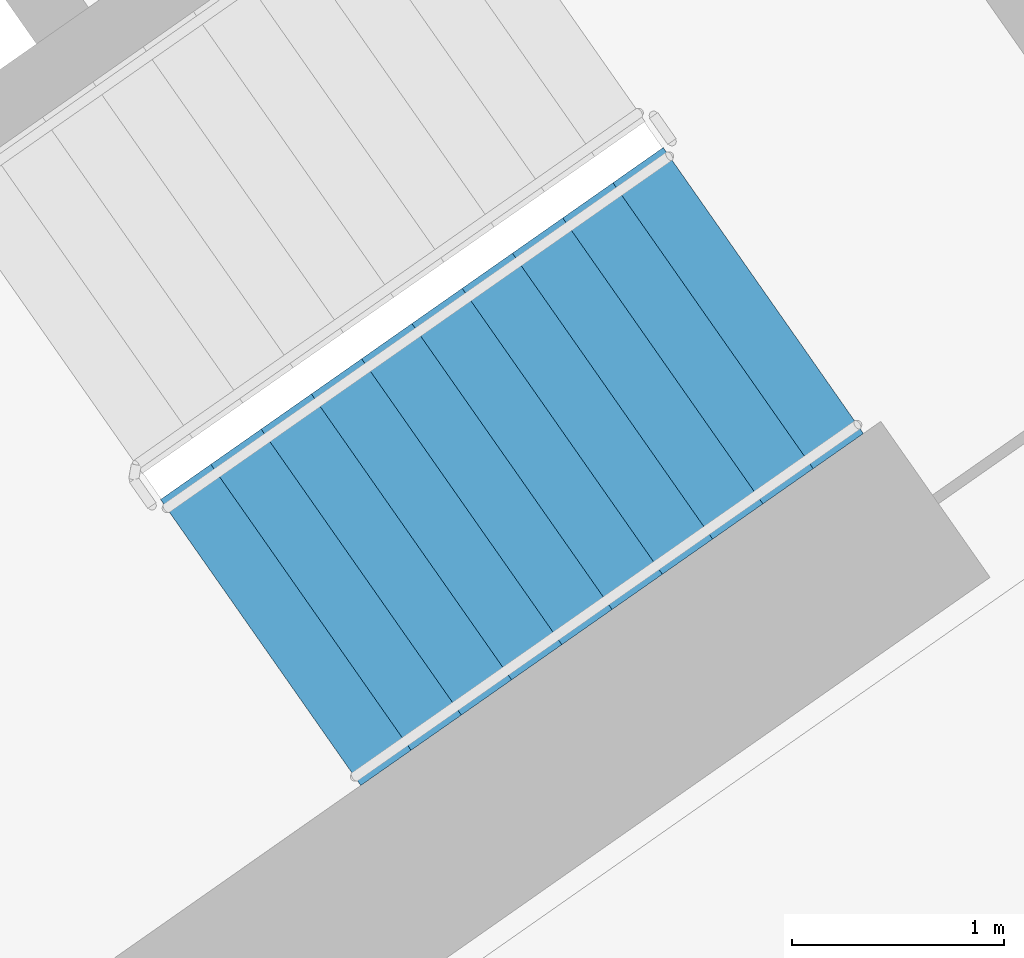
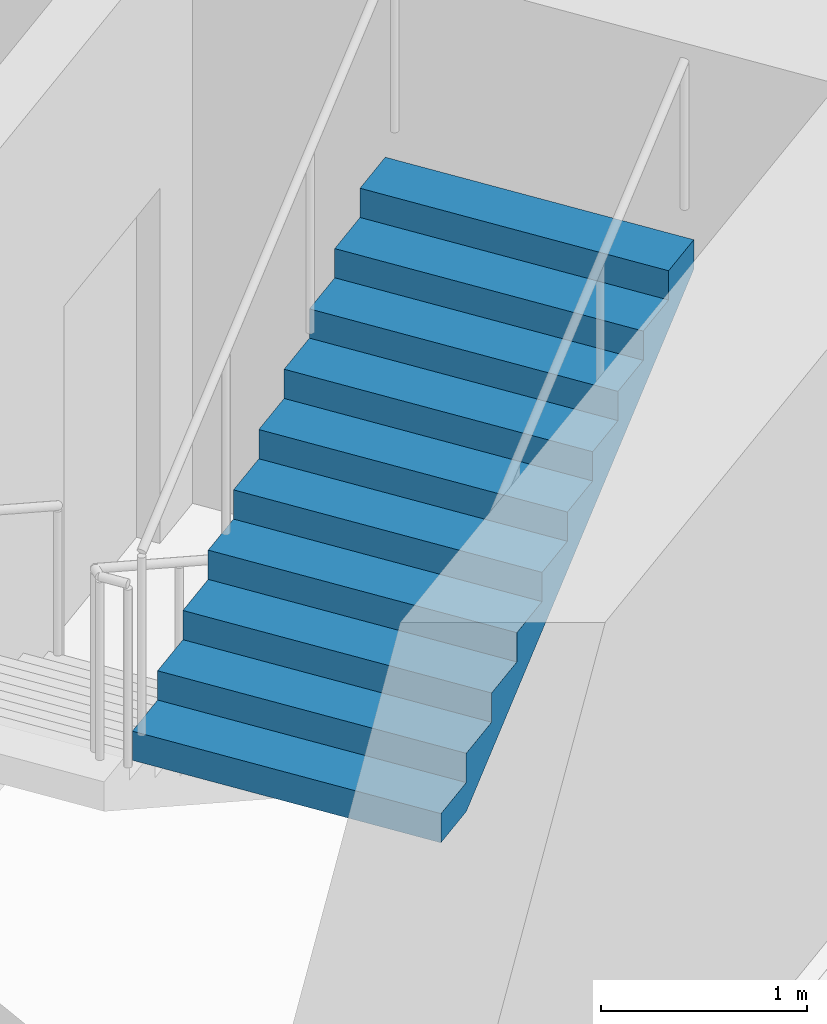
# One storey, part 16 of 29: 1 stair flight, 1 element without a shape of its own.
"""IFC4 building model written with IfcOpenShell, lengths in metres."""

from ifc_helpers import new_model, si_unit, direction, frame, origin, place, context, subcontext, project, spatial, faceted_brep, material, type_object, element, aggregate, save


model = new_model("IFC4")

# Units and contexts
model_context = context("Model", 3, precision=1e-05, world=origin(), true_north=direction((0.0, 1.0)))
body_context = subcontext(model_context, "Body", "Model", "MODEL_VIEW")
ifc_project = project(units=[si_unit("LENGTHUNIT", "METRE"), si_unit("AREAUNIT", "SQUARE_METRE"), si_unit("VOLUMEUNIT", "CUBIC_METRE"), si_unit("PLANEANGLEUNIT", "RADIAN"), si_unit("MASSUNIT", "GRAM", prefix="KILO")], contexts=[model_context])

# Site, building, storey
site_placement = place(None, origin())
site = spatial("IfcSite", under=ifc_project, at=site_placement, CompositionType="ELEMENT")
building_placement = place(site_placement, origin())
building = spatial("IfcBuilding", under=site, at=building_placement, Name="Qamariyya Broadcast Tower", CompositionType="ELEMENT")
storey_placement = place(building_placement, frame((0.0, 0.0, 44.300048828125)))
storey = spatial("IfcBuildingStorey", under=building, at=storey_placement, Name="L07", CompositionType="ELEMENT", Elevation=44.300048828125)

# Stair, stair flight
ifc_material = material(Name="Concrete C50/60", Category="concrete")
stair_type = type_object("IfcStairType", Name="Exit stair 22 risers of 173 mm", PredefinedType="HALF_TURN_STAIR", material=ifc_material)
stair_placement = place(storey_placement, origin())
stair = element("IfcStair", 1, at=stair_placement, inside=storey, type_object=stair_type, Name="L07 Stair E1", PredefinedType="HALF_TURN_STAIR")
stair_flight_type = type_object("IfcStairFlightType", Name="Exit stair flight 11 risers of 173 mm", PredefinedType="STRAIGHT", material=ifc_material)
stair_flight_placement = place(storey_placement, frame((44.693359375, -58.64599609375, 1.89990234375), z_axis=(0.0, 0.0, 1.0), x_axis=(0.819152044289, 0.573576436351, 0.0)))
stair_flight = element("IfcStairFlight", 2, at=stair_flight_placement, type_object=stair_flight_type, Name="ST-E1 flight 2", NumberOfRisers=11, NumberOfTreads=10, PredefinedType="STRAIGHT", RiserHeight=0.172727273, TreadLength=0.29, context=body_context, shape_type="Brep", body=[
    faceted_brep([(0.0, 0.824951171875, 0.0), (0.0, 0.824951171875, 0.172607421875), (0.2900390625, 0.824951171875, 0.172607421875), (0.2900390625, 0.824951171875, 0.345458984375), (0.580078125, 0.824951171875, 0.345458984375), (0.580078125, 0.824951171875, 0.51806640625), (0.8701171875, 0.824951171875, 0.51806640625), (0.8701171875, 0.824951171875, 0.69091796875), (1.159912109375, 0.824951171875, 0.69091796875), (1.159912109375, 0.824951171875, 0.863525390625), (1.449951171875, 0.824951171875, 0.863525390625), (1.449951171875, 0.824951171875, 1.036376953125), (1.739990234375, 0.824951171875, 1.036376953125), (1.739990234375, 0.824951171875, 1.208984375), (2.030029296875, 0.824951171875, 1.208984375), (2.030029296875, 0.824951171875, 1.3818359375), (2.320068359375, 0.824951171875, 1.3818359375), (2.320068359375, 0.824951171875, 1.554443359375), (2.610107421875, 0.824951171875, 1.554443359375), (2.610107421875, 0.824951171875, 1.727294921875), (2.89990234375, 0.824951171875, 1.727294921875), (2.89990234375, 0.824951171875, 1.552734375), (0.29296875, 0.824951171875, 0.0), (0.29296875, -0.824951171875, 0.0), (2.89990234375, -0.824951171875, 1.552734375), (2.89990234375, -0.824951171875, 1.727294921875), (2.610107421875, -0.824951171875, 1.727294921875), (2.610107421875, -0.824951171875, 1.554443359375), (2.320068359375, -0.824951171875, 1.554443359375), (2.320068359375, -0.824951171875, 1.3818359375), (2.030029296875, -0.824951171875, 1.3818359375), (2.030029296875, -0.824951171875, 1.208984375), (1.739990234375, -0.824951171875, 1.208984375), (1.739990234375, -0.824951171875, 1.036376953125), (1.449951171875, -0.824951171875, 1.036376953125), (1.449951171875, -0.824951171875, 0.863525390625), (1.159912109375, -0.824951171875, 0.863525390625), (1.159912109375, -0.824951171875, 0.69091796875), (0.8701171875, -0.824951171875, 0.69091796875), (0.8701171875, -0.824951171875, 0.51806640625), (0.580078125, -0.824951171875, 0.51806640625), (0.580078125, -0.824951171875, 0.345458984375), (0.2900390625, -0.824951171875, 0.345458984375), (0.2900390625, -0.824951171875, 0.172607421875), (0.0, -0.824951171875, 0.172607421875), (0.0, -0.824951171875, 0.0), (0.0, 0.10009765625, 0.0), (0.0, 0.086669921875, 0.0), (0.0, 0.0732421875, 0.0), (0.0, 0.06005859375, 0.0), (0.0, 0.046630859375, 0.0), (0.0, 0.033447265625, 0.0), (0.0, 0.02001953125, 0.0), (0.0, 0.006591796875, 0.0), (0.0, -0.006591796875, 0.0), (0.0, -0.02001953125, 0.0), (0.0, -0.033447265625, 0.0), (0.0, -0.046630859375, 0.0), (0.0, -0.06005859375, 0.0), (0.0, -0.0732421875, 0.0), (0.0, -0.086669921875, 0.0), (0.0, -0.10009765625, 0.0), (0.0, -0.10009765625, 0.172607421875), (0.0, -0.086669921875, 0.172607421875), (0.0, -0.0732421875, 0.172607421875), (0.0, -0.06005859375, 0.172607421875), (0.0, -0.046630859375, 0.172607421875), (0.0, -0.033447265625, 0.172607421875), (0.0, -0.02001953125, 0.172607421875), (0.0, -0.006591796875, 0.172607421875), (0.0, 0.006591796875, 0.172607421875), (0.0, 0.02001953125, 0.172607421875), (0.0, 0.033447265625, 0.172607421875), (0.0, 0.046630859375, 0.172607421875), (0.0, 0.06005859375, 0.172607421875), (0.0, 0.0732421875, 0.172607421875), (0.0, 0.086669921875, 0.172607421875), (0.0, 0.10009765625, 0.172607421875), (0.2900390625, -0.10009765625, 0.172607421875), (0.2900390625, -0.086669921875, 0.172607421875), (0.2900390625, -0.0732421875, 0.172607421875), (0.2900390625, -0.06005859375, 0.172607421875), (0.2900390625, -0.046630859375, 0.172607421875), (0.2900390625, -0.033447265625, 0.172607421875), (0.2900390625, -0.02001953125, 0.172607421875), (0.2900390625, -0.006591796875, 0.172607421875), (0.2900390625, 0.006591796875, 0.172607421875), (0.2900390625, 0.02001953125, 0.172607421875), (0.2900390625, 0.033447265625, 0.172607421875), (0.2900390625, 0.046630859375, 0.172607421875), (0.2900390625, 0.06005859375, 0.172607421875), (0.2900390625, 0.0732421875, 0.172607421875), (0.2900390625, 0.086669921875, 0.172607421875), (0.2900390625, 0.10009765625, 0.172607421875), (0.2900390625, -0.10009765625, 0.345458984375), (0.2900390625, -0.086669921875, 0.345458984375), (0.2900390625, -0.0732421875, 0.345458984375), (0.2900390625, -0.06005859375, 0.345458984375), (0.2900390625, -0.046630859375, 0.345458984375), (0.2900390625, -0.033447265625, 0.345458984375), (0.2900390625, -0.02001953125, 0.345458984375), (0.2900390625, -0.006591796875, 0.345458984375), (0.2900390625, 0.006591796875, 0.345458984375), (0.2900390625, 0.02001953125, 0.345458984375), (0.2900390625, 0.033447265625, 0.345458984375), (0.2900390625, 0.046630859375, 0.345458984375), (0.2900390625, 0.06005859375, 0.345458984375), (0.2900390625, 0.0732421875, 0.345458984375), (0.2900390625, 0.086669921875, 0.345458984375), (0.2900390625, 0.10009765625, 0.345458984375), (0.580078125, -0.10009765625, 0.345458984375), (0.580078125, -0.086669921875, 0.345458984375), (0.580078125, -0.0732421875, 0.345458984375), (0.580078125, -0.06005859375, 0.345458984375), (0.580078125, -0.046630859375, 0.345458984375), (0.580078125, -0.033447265625, 0.345458984375), (0.580078125, -0.02001953125, 0.345458984375), (0.580078125, -0.006591796875, 0.345458984375), (0.580078125, 0.006591796875, 0.345458984375), (0.580078125, 0.02001953125, 0.345458984375), (0.580078125, 0.033447265625, 0.345458984375), (0.580078125, 0.046630859375, 0.345458984375), (0.580078125, 0.06005859375, 0.345458984375), (0.580078125, 0.0732421875, 0.345458984375), (0.580078125, 0.086669921875, 0.345458984375), (0.580078125, 0.10009765625, 0.345458984375), (0.580078125, -0.10009765625, 0.51806640625), (0.580078125, -0.086669921875, 0.51806640625), (0.580078125, -0.0732421875, 0.51806640625), (0.580078125, -0.06005859375, 0.51806640625), (0.580078125, -0.046630859375, 0.51806640625), (0.580078125, -0.033447265625, 0.51806640625), (0.580078125, -0.02001953125, 0.51806640625), (0.580078125, -0.006591796875, 0.51806640625), (0.580078125, 0.006591796875, 0.51806640625), (0.580078125, 0.02001953125, 0.51806640625), (0.580078125, 0.033447265625, 0.51806640625), (0.580078125, 0.046630859375, 0.51806640625), (0.580078125, 0.06005859375, 0.51806640625), (0.580078125, 0.0732421875, 0.51806640625), (0.580078125, 0.086669921875, 0.51806640625), (0.580078125, 0.10009765625, 0.51806640625), (0.8701171875, -0.10009765625, 0.51806640625), (0.8701171875, -0.086669921875, 0.51806640625), (0.8701171875, -0.0732421875, 0.51806640625), (0.8701171875, -0.06005859375, 0.51806640625), (0.8701171875, -0.046630859375, 0.51806640625), (0.8701171875, -0.033447265625, 0.51806640625), (0.8701171875, -0.02001953125, 0.51806640625), (0.8701171875, -0.006591796875, 0.51806640625), (0.8701171875, 0.006591796875, 0.51806640625), (0.8701171875, 0.02001953125, 0.51806640625), (0.8701171875, 0.033447265625, 0.51806640625), (0.8701171875, 0.046630859375, 0.51806640625), (0.8701171875, 0.06005859375, 0.51806640625), (0.8701171875, 0.0732421875, 0.51806640625), (0.8701171875, 0.086669921875, 0.51806640625), (0.8701171875, 0.10009765625, 0.51806640625), (0.8701171875, -0.10009765625, 0.69091796875), (0.8701171875, -0.086669921875, 0.69091796875), (0.8701171875, -0.0732421875, 0.69091796875), (0.8701171875, -0.06005859375, 0.69091796875), (0.8701171875, -0.046630859375, 0.69091796875), (0.8701171875, -0.033447265625, 0.69091796875), (0.8701171875, -0.02001953125, 0.69091796875), (0.8701171875, -0.006591796875, 0.69091796875), (0.8701171875, 0.006591796875, 0.69091796875), (0.8701171875, 0.02001953125, 0.69091796875), (0.8701171875, 0.033447265625, 0.69091796875), (0.8701171875, 0.046630859375, 0.69091796875), (0.8701171875, 0.06005859375, 0.69091796875), (0.8701171875, 0.0732421875, 0.69091796875), (0.8701171875, 0.086669921875, 0.69091796875), (0.8701171875, 0.10009765625, 0.69091796875), (1.159912109375, -0.10009765625, 0.69091796875), (1.159912109375, -0.086669921875, 0.69091796875), (1.159912109375, -0.0732421875, 0.69091796875), (1.159912109375, -0.06005859375, 0.69091796875), (1.159912109375, -0.046630859375, 0.69091796875), (1.159912109375, -0.033447265625, 0.69091796875), (1.159912109375, -0.02001953125, 0.69091796875), (1.159912109375, -0.006591796875, 0.69091796875), (1.159912109375, 0.006591796875, 0.69091796875), (1.159912109375, 0.02001953125, 0.69091796875), (1.159912109375, 0.033447265625, 0.69091796875), (1.159912109375, 0.046630859375, 0.69091796875), (1.159912109375, 0.06005859375, 0.69091796875), (1.159912109375, 0.0732421875, 0.69091796875), (1.159912109375, 0.086669921875, 0.69091796875), (1.159912109375, 0.10009765625, 0.69091796875), (1.159912109375, -0.10009765625, 0.863525390625), (1.159912109375, -0.086669921875, 0.863525390625), (1.159912109375, -0.0732421875, 0.863525390625), (1.159912109375, -0.06005859375, 0.863525390625), (1.159912109375, -0.046630859375, 0.863525390625), (1.159912109375, -0.033447265625, 0.863525390625), (1.159912109375, -0.02001953125, 0.863525390625), (1.159912109375, -0.006591796875, 0.863525390625), (1.159912109375, 0.006591796875, 0.863525390625), (1.159912109375, 0.02001953125, 0.863525390625), (1.159912109375, 0.033447265625, 0.863525390625), (1.159912109375, 0.046630859375, 0.863525390625), (1.159912109375, 0.06005859375, 0.863525390625), (1.159912109375, 0.0732421875, 0.863525390625), (1.159912109375, 0.086669921875, 0.863525390625), (1.159912109375, 0.10009765625, 0.863525390625), (1.449951171875, -0.10009765625, 0.863525390625), (1.449951171875, -0.086669921875, 0.863525390625), (1.449951171875, -0.0732421875, 0.863525390625), (1.449951171875, -0.06005859375, 0.863525390625), (1.449951171875, -0.046630859375, 0.863525390625), (1.449951171875, -0.033447265625, 0.863525390625), (1.449951171875, -0.02001953125, 0.863525390625), (1.449951171875, -0.006591796875, 0.863525390625), (1.449951171875, 0.006591796875, 0.863525390625), (1.449951171875, 0.02001953125, 0.863525390625), (1.449951171875, 0.033447265625, 0.863525390625), (1.449951171875, 0.046630859375, 0.863525390625), (1.449951171875, 0.06005859375, 0.863525390625), (1.449951171875, 0.0732421875, 0.863525390625), (1.449951171875, 0.086669921875, 0.863525390625), (1.449951171875, 0.10009765625, 0.863525390625), (1.449951171875, -0.10009765625, 1.036376953125), (1.449951171875, -0.086669921875, 1.036376953125), (1.449951171875, -0.0732421875, 1.036376953125), (1.449951171875, -0.06005859375, 1.036376953125), (1.449951171875, -0.046630859375, 1.036376953125), (1.449951171875, -0.033447265625, 1.036376953125), (1.449951171875, -0.02001953125, 1.036376953125), (1.449951171875, -0.006591796875, 1.036376953125), (1.449951171875, 0.006591796875, 1.036376953125), (1.449951171875, 0.02001953125, 1.036376953125), (1.449951171875, 0.033447265625, 1.036376953125), (1.449951171875, 0.046630859375, 1.036376953125), (1.449951171875, 0.06005859375, 1.036376953125), (1.449951171875, 0.0732421875, 1.036376953125), (1.449951171875, 0.086669921875, 1.036376953125), (1.449951171875, 0.10009765625, 1.036376953125), (1.739990234375, -0.10009765625, 1.036376953125), (1.739990234375, -0.086669921875, 1.036376953125), (1.739990234375, -0.0732421875, 1.036376953125), (1.739990234375, -0.06005859375, 1.036376953125), (1.739990234375, -0.046630859375, 1.036376953125), (1.739990234375, -0.033447265625, 1.036376953125), (1.739990234375, -0.02001953125, 1.036376953125), (1.739990234375, -0.006591796875, 1.036376953125), (1.739990234375, 0.006591796875, 1.036376953125), (1.739990234375, 0.02001953125, 1.036376953125), (1.739990234375, 0.033447265625, 1.036376953125), (1.739990234375, 0.046630859375, 1.036376953125), (1.739990234375, 0.06005859375, 1.036376953125), (1.739990234375, 0.0732421875, 1.036376953125), (1.739990234375, 0.086669921875, 1.036376953125), (1.739990234375, 0.10009765625, 1.036376953125), (1.739990234375, -0.10009765625, 1.208984375), (1.739990234375, -0.086669921875, 1.208984375), (1.739990234375, -0.0732421875, 1.208984375), (1.739990234375, -0.06005859375, 1.208984375), (1.739990234375, -0.046630859375, 1.208984375), (1.739990234375, -0.033447265625, 1.208984375), (1.739990234375, -0.02001953125, 1.208984375), (1.739990234375, -0.006591796875, 1.208984375), (1.739990234375, 0.006591796875, 1.208984375), (1.739990234375, 0.02001953125, 1.208984375), (1.739990234375, 0.033447265625, 1.208984375), (1.739990234375, 0.046630859375, 1.208984375), (1.739990234375, 0.06005859375, 1.208984375), (1.739990234375, 0.0732421875, 1.208984375), (1.739990234375, 0.086669921875, 1.208984375), (1.739990234375, 0.10009765625, 1.208984375), (2.030029296875, -0.10009765625, 1.208984375), (2.030029296875, -0.086669921875, 1.208984375), (2.030029296875, -0.0732421875, 1.208984375), (2.030029296875, -0.06005859375, 1.208984375), (2.030029296875, -0.046630859375, 1.208984375), (2.030029296875, -0.033447265625, 1.208984375), (2.030029296875, -0.02001953125, 1.208984375), (2.030029296875, -0.006591796875, 1.208984375), (2.030029296875, 0.006591796875, 1.208984375), (2.030029296875, 0.02001953125, 1.208984375), (2.030029296875, 0.033447265625, 1.208984375), (2.030029296875, 0.046630859375, 1.208984375), (2.030029296875, 0.06005859375, 1.208984375), (2.030029296875, 0.0732421875, 1.208984375), (2.030029296875, 0.086669921875, 1.208984375), (2.030029296875, 0.10009765625, 1.208984375), (2.030029296875, -0.10009765625, 1.3818359375), (2.030029296875, -0.086669921875, 1.3818359375), (2.030029296875, -0.0732421875, 1.3818359375), (2.030029296875, -0.06005859375, 1.3818359375), (2.030029296875, -0.046630859375, 1.3818359375), (2.030029296875, -0.033447265625, 1.3818359375), (2.030029296875, -0.02001953125, 1.3818359375), (2.030029296875, -0.006591796875, 1.3818359375), (2.030029296875, 0.006591796875, 1.3818359375), (2.030029296875, 0.02001953125, 1.3818359375), (2.030029296875, 0.033447265625, 1.3818359375), (2.030029296875, 0.046630859375, 1.3818359375), (2.030029296875, 0.06005859375, 1.3818359375), (2.030029296875, 0.0732421875, 1.3818359375), (2.030029296875, 0.086669921875, 1.3818359375), (2.030029296875, 0.10009765625, 1.3818359375), (2.320068359375, -0.10009765625, 1.3818359375), (2.320068359375, -0.086669921875, 1.3818359375), (2.320068359375, -0.0732421875, 1.3818359375), (2.320068359375, -0.06005859375, 1.3818359375), (2.320068359375, -0.046630859375, 1.3818359375), (2.320068359375, -0.033447265625, 1.3818359375), (2.320068359375, -0.02001953125, 1.3818359375), (2.320068359375, -0.006591796875, 1.3818359375), (2.320068359375, 0.006591796875, 1.3818359375), (2.320068359375, 0.02001953125, 1.3818359375), (2.320068359375, 0.033447265625, 1.3818359375), (2.320068359375, 0.046630859375, 1.3818359375), (2.320068359375, 0.06005859375, 1.3818359375), (2.320068359375, 0.0732421875, 1.3818359375), (2.320068359375, 0.086669921875, 1.3818359375), (2.320068359375, 0.10009765625, 1.3818359375), (2.320068359375, -0.10009765625, 1.554443359375), (2.320068359375, -0.086669921875, 1.554443359375), (2.320068359375, -0.0732421875, 1.554443359375), (2.320068359375, -0.06005859375, 1.554443359375), (2.320068359375, -0.046630859375, 1.554443359375), (2.320068359375, -0.033447265625, 1.554443359375), (2.320068359375, -0.02001953125, 1.554443359375), (2.320068359375, -0.006591796875, 1.554443359375), (2.320068359375, 0.006591796875, 1.554443359375), (2.320068359375, 0.02001953125, 1.554443359375), (2.320068359375, 0.033447265625, 1.554443359375), (2.320068359375, 0.046630859375, 1.554443359375), (2.320068359375, 0.06005859375, 1.554443359375), (2.320068359375, 0.0732421875, 1.554443359375), (2.320068359375, 0.086669921875, 1.554443359375), (2.320068359375, 0.10009765625, 1.554443359375), (2.610107421875, -0.10009765625, 1.554443359375), (2.610107421875, -0.086669921875, 1.554443359375), (2.610107421875, -0.0732421875, 1.554443359375), (2.610107421875, -0.06005859375, 1.554443359375), (2.610107421875, -0.046630859375, 1.554443359375), (2.610107421875, -0.033447265625, 1.554443359375), (2.610107421875, -0.02001953125, 1.554443359375), (2.610107421875, -0.006591796875, 1.554443359375), (2.610107421875, 0.006591796875, 1.554443359375), (2.610107421875, 0.02001953125, 1.554443359375), (2.610107421875, 0.033447265625, 1.554443359375), (2.610107421875, 0.046630859375, 1.554443359375), (2.610107421875, 0.06005859375, 1.554443359375), (2.610107421875, 0.0732421875, 1.554443359375), (2.610107421875, 0.086669921875, 1.554443359375), (2.610107421875, 0.10009765625, 1.554443359375), (2.610107421875, -0.10009765625, 1.727294921875), (2.610107421875, -0.086669921875, 1.727294921875), (2.610107421875, -0.0732421875, 1.727294921875), (2.610107421875, -0.06005859375, 1.727294921875), (2.610107421875, -0.046630859375, 1.727294921875), (2.610107421875, -0.033447265625, 1.727294921875), (2.610107421875, -0.02001953125, 1.727294921875), (2.610107421875, -0.006591796875, 1.727294921875), (2.610107421875, 0.006591796875, 1.727294921875), (2.610107421875, 0.02001953125, 1.727294921875), (2.610107421875, 0.033447265625, 1.727294921875), (2.610107421875, 0.046630859375, 1.727294921875), (2.610107421875, 0.06005859375, 1.727294921875), (2.610107421875, 0.0732421875, 1.727294921875), (2.610107421875, 0.086669921875, 1.727294921875), (2.610107421875, 0.10009765625, 1.727294921875), (2.89990234375, -0.10009765625, 1.727294921875), (2.89990234375, -0.086669921875, 1.727294921875), (2.89990234375, -0.0732421875, 1.727294921875), (2.89990234375, -0.06005859375, 1.727294921875), (2.89990234375, -0.046630859375, 1.727294921875), (2.89990234375, -0.033447265625, 1.727294921875), (2.89990234375, -0.02001953125, 1.727294921875), (2.89990234375, -0.006591796875, 1.727294921875), (2.89990234375, 0.006591796875, 1.727294921875), (2.89990234375, 0.02001953125, 1.727294921875), (2.89990234375, 0.033447265625, 1.727294921875), (2.89990234375, 0.046630859375, 1.727294921875), (2.89990234375, 0.06005859375, 1.727294921875), (2.89990234375, 0.0732421875, 1.727294921875), (2.89990234375, 0.086669921875, 1.727294921875), (2.89990234375, 0.10009765625, 1.727294921875), (2.89990234375, -0.10009765625, 1.552734375), (2.89990234375, -0.086669921875, 1.552734375), (2.89990234375, -0.0732421875, 1.552734375), (2.89990234375, -0.06005859375, 1.552734375), (2.89990234375, -0.046630859375, 1.552734375), (2.89990234375, -0.033447265625, 1.552734375), (2.89990234375, -0.02001953125, 1.552734375), (2.89990234375, -0.006591796875, 1.552734375), (2.89990234375, 0.006591796875, 1.552734375), (2.89990234375, 0.02001953125, 1.552734375), (2.89990234375, 0.033447265625, 1.552734375), (2.89990234375, 0.046630859375, 1.552734375), (2.89990234375, 0.06005859375, 1.552734375), (2.89990234375, 0.0732421875, 1.552734375), (2.89990234375, 0.086669921875, 1.552734375), (2.89990234375, 0.10009765625, 1.552734375), (0.29296875, -0.10009765625, 0.0), (0.29296875, -0.086669921875, 0.0), (0.29296875, -0.0732421875, 0.0), (0.29296875, -0.06005859375, 0.0), (0.29296875, -0.046630859375, 0.0), (0.29296875, -0.033447265625, 0.0), (0.29296875, -0.02001953125, 0.0), (0.29296875, -0.006591796875, 0.0), (0.29296875, 0.006591796875, 0.0), (0.29296875, 0.02001953125, 0.0), (0.29296875, 0.033447265625, 0.0), (0.29296875, 0.046630859375, 0.0), (0.29296875, 0.06005859375, 0.0), (0.29296875, 0.0732421875, 0.0), (0.29296875, 0.086669921875, 0.0), (0.29296875, 0.10009765625, 0.0)], [[[0, 1, 2, 3, 4, 5, 6, 7, 8, 9, 10, 11, 12, 13, 14, 15, 16, 17, 18, 19, 20, 21, 22]], [[23, 24, 25, 26, 27, 28, 29, 30, 31, 32, 33, 34, 35, 36, 37, 38, 39, 40, 41, 42, 43, 44, 45]], [[0, 46, 47, 48, 49, 50, 51, 52, 53, 54, 55, 56, 57, 58, 59, 60, 61, 45, 44, 62, 63, 64, 65, 66, 67, 68, 69, 70, 71, 72, 73, 74, 75, 76, 77, 1]], [[1, 77, 76, 75, 74, 73, 72, 71, 70, 69, 68, 67, 66, 65, 64, 63, 62, 44, 43, 78, 79, 80, 81, 82, 83, 84, 85, 86, 87, 88, 89, 90, 91, 92, 93, 2]], [[2, 93, 92, 91, 90, 89, 88, 87, 86, 85, 84, 83, 82, 81, 80, 79, 78, 43, 42, 94, 95, 96, 97, 98, 99, 100, 101, 102, 103, 104, 105, 106, 107, 108, 109, 3]], [[3, 109, 108, 107, 106, 105, 104, 103, 102, 101, 100, 99, 98, 97, 96, 95, 94, 42, 41, 110, 111, 112, 113, 114, 115, 116, 117, 118, 119, 120, 121, 122, 123, 124, 125, 4]], [[4, 125, 124, 123, 122, 121, 120, 119, 118, 117, 116, 115, 114, 113, 112, 111, 110, 41, 40, 126, 127, 128, 129, 130, 131, 132, 133, 134, 135, 136, 137, 138, 139, 140, 141, 5]], [[5, 141, 140, 139, 138, 137, 136, 135, 134, 133, 132, 131, 130, 129, 128, 127, 126, 40, 39, 142, 143, 144, 145, 146, 147, 148, 149, 150, 151, 152, 153, 154, 155, 156, 157, 6]], [[6, 157, 156, 155, 154, 153, 152, 151, 150, 149, 148, 147, 146, 145, 144, 143, 142, 39, 38, 158, 159, 160, 161, 162, 163, 164, 165, 166, 167, 168, 169, 170, 171, 172, 173, 7]], [[7, 173, 172, 171, 170, 169, 168, 167, 166, 165, 164, 163, 162, 161, 160, 159, 158, 38, 37, 174, 175, 176, 177, 178, 179, 180, 181, 182, 183, 184, 185, 186, 187, 188, 189, 8]], [[8, 189, 188, 187, 186, 185, 184, 183, 182, 181, 180, 179, 178, 177, 176, 175, 174, 37, 36, 190, 191, 192, 193, 194, 195, 196, 197, 198, 199, 200, 201, 202, 203, 204, 205, 9]], [[9, 205, 204, 203, 202, 201, 200, 199, 198, 197, 196, 195, 194, 193, 192, 191, 190, 36, 35, 206, 207, 208, 209, 210, 211, 212, 213, 214, 215, 216, 217, 218, 219, 220, 221, 10]], [[10, 221, 220, 219, 218, 217, 216, 215, 214, 213, 212, 211, 210, 209, 208, 207, 206, 35, 34, 222, 223, 224, 225, 226, 227, 228, 229, 230, 231, 232, 233, 234, 235, 236, 237, 11]], [[11, 237, 236, 235, 234, 233, 232, 231, 230, 229, 228, 227, 226, 225, 224, 223, 222, 34, 33, 238, 239, 240, 241, 242, 243, 244, 245, 246, 247, 248, 249, 250, 251, 252, 253, 12]], [[12, 253, 252, 251, 250, 249, 248, 247, 246, 245, 244, 243, 242, 241, 240, 239, 238, 33, 32, 254, 255, 256, 257, 258, 259, 260, 261, 262, 263, 264, 265, 266, 267, 268, 269, 13]], [[13, 269, 268, 267, 266, 265, 264, 263, 262, 261, 260, 259, 258, 257, 256, 255, 254, 32, 31, 270, 271, 272, 273, 274, 275, 276, 277, 278, 279, 280, 281, 282, 283, 284, 285, 14]], [[14, 285, 284, 283, 282, 281, 280, 279, 278, 277, 276, 275, 274, 273, 272, 271, 270, 31, 30, 286, 287, 288, 289, 290, 291, 292, 293, 294, 295, 296, 297, 298, 299, 300, 301, 15]], [[15, 301, 300, 299, 298, 297, 296, 295, 294, 293, 292, 291, 290, 289, 288, 287, 286, 30, 29, 302, 303, 304, 305, 306, 307, 308, 309, 310, 311, 312, 313, 314, 315, 316, 317, 16]], [[16, 317, 316, 315, 314, 313, 312, 311, 310, 309, 308, 307, 306, 305, 304, 303, 302, 29, 28, 318, 319, 320, 321, 322, 323, 324, 325, 326, 327, 328, 329, 330, 331, 332, 333, 17]], [[17, 333, 332, 331, 330, 329, 328, 327, 326, 325, 324, 323, 322, 321, 320, 319, 318, 28, 27, 334, 335, 336, 337, 338, 339, 340, 341, 342, 343, 344, 345, 346, 347, 348, 349, 18]], [[18, 349, 348, 347, 346, 345, 344, 343, 342, 341, 340, 339, 338, 337, 336, 335, 334, 27, 26, 350, 351, 352, 353, 354, 355, 356, 357, 358, 359, 360, 361, 362, 363, 364, 365, 19]], [[19, 365, 364, 363, 362, 361, 360, 359, 358, 357, 356, 355, 354, 353, 352, 351, 350, 26, 25, 366, 367, 368, 369, 370, 371, 372, 373, 374, 375, 376, 377, 378, 379, 380, 381, 20]], [[20, 381, 380, 379, 378, 377, 376, 375, 374, 373, 372, 371, 370, 369, 368, 367, 366, 25, 24, 382, 383, 384, 385, 386, 387, 388, 389, 390, 391, 392, 393, 394, 395, 396, 397, 21]], [[21, 397, 396, 395, 394, 393, 392, 391, 390, 389, 388, 387, 386, 385, 384, 383, 382, 24, 23, 398, 399, 400, 401, 402, 403, 404, 405, 406, 407, 408, 409, 410, 411, 412, 413, 22]], [[22, 413, 412, 411, 410, 409, 408, 407, 406, 405, 404, 403, 402, 401, 400, 399, 398, 23, 45, 61, 60, 59, 58, 57, 56, 55, 54, 53, 52, 51, 50, 49, 48, 47, 46, 0]]]),
])
aggregate(stair, [stair_flight])

save(model, "model.ifc")
